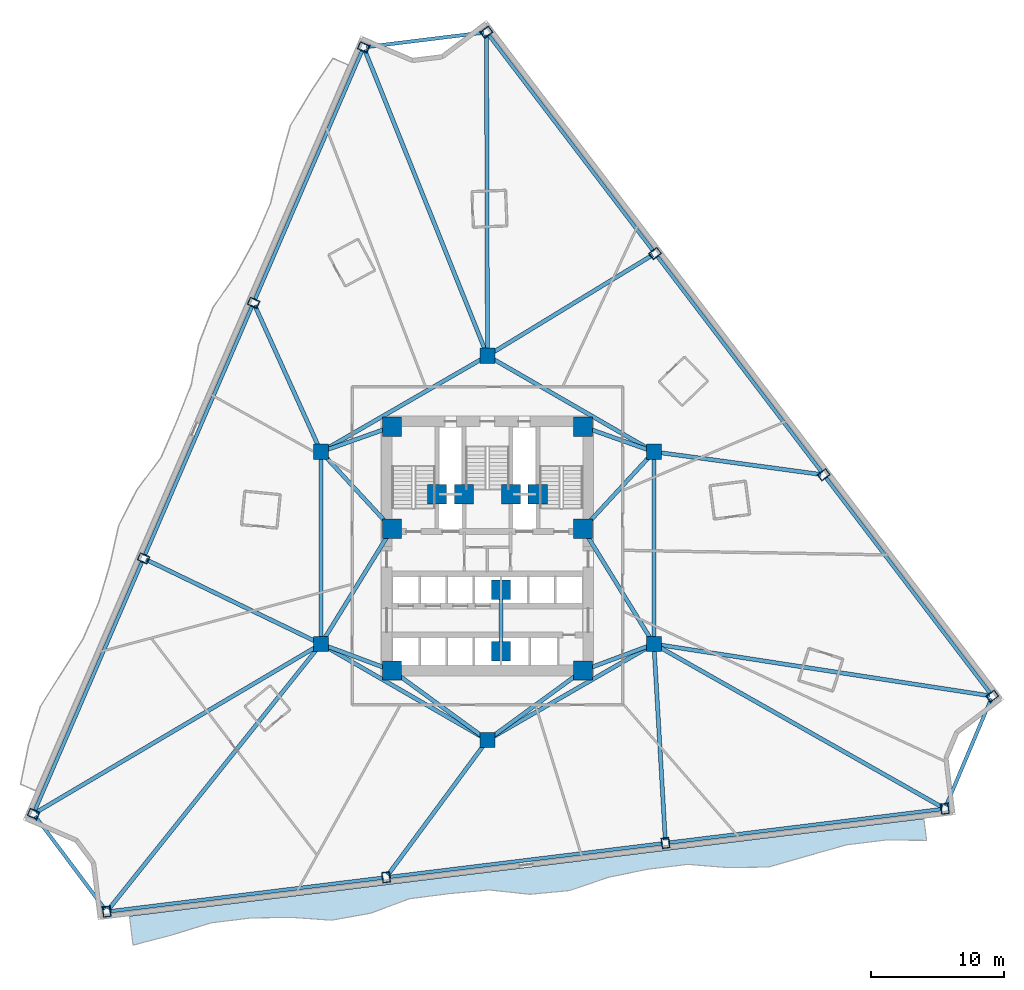
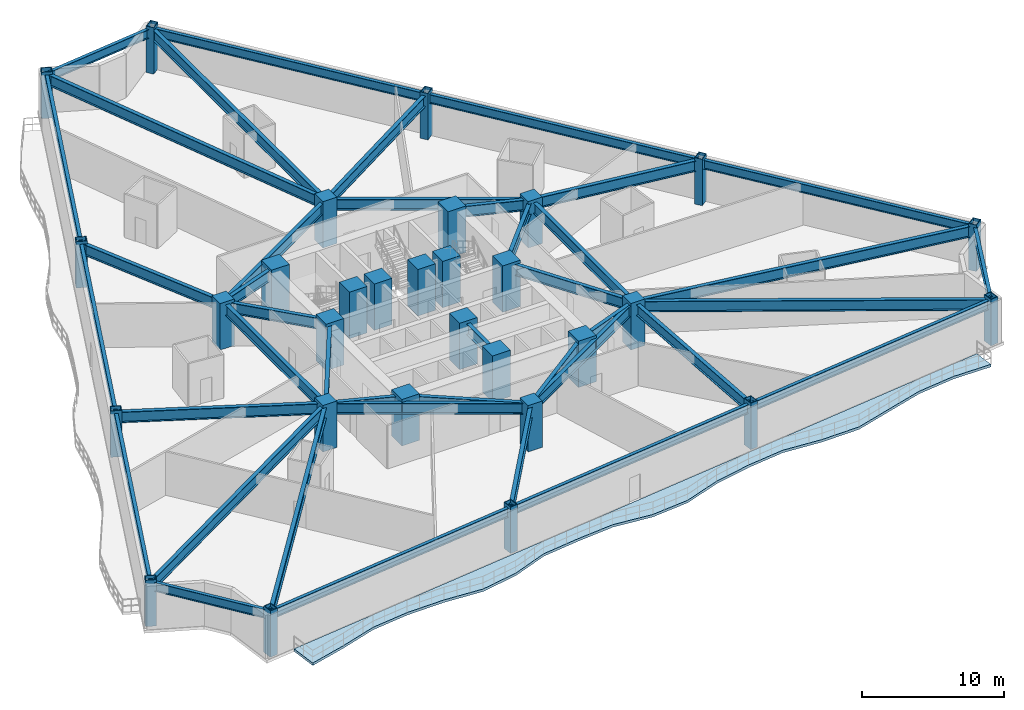
# One storey, part 1 of 12: 41 beams, 30 columns, 1 slab.
"""IFC4 building model written with IfcOpenShell, lengths in metres."""

from ifc_helpers import new_model, si_unit, direction, frame, origin, origin_2d, place, context, subcontext, project, spatial, polyline, rectangle, hollow_rectangle, i_section, outline, extrude, material, layer, layer_set, material_profile, profile_set, type_object, element, save


model = new_model("IFC4")

# Units and contexts
model_context = context("Model", 3, precision=1e-05, world=origin(), true_north=direction((0.0, 1.0)))
body_context = subcontext(model_context, "Body", "Model", "MODEL_VIEW")
ifc_project = project(units=[si_unit("LENGTHUNIT", "METRE"), si_unit("AREAUNIT", "SQUARE_METRE"), si_unit("VOLUMEUNIT", "CUBIC_METRE"), si_unit("PLANEANGLEUNIT", "RADIAN"), si_unit("MASSUNIT", "GRAM", prefix="KILO")], contexts=[model_context])

# Site, building, storey
site_placement = place(None, origin())
site = spatial("IfcSite", under=ifc_project, at=site_placement, CompositionType="ELEMENT")
building_placement = place(site_placement, origin())
building = spatial("IfcBuilding", under=site, at=building_placement, Name="Apsidion Concourse Tower", CompositionType="ELEMENT")
storey_placement = place(building_placement, frame((0.0, 0.0, 71.0)))
storey = spatial("IfcBuildingStorey", under=building, at=storey_placement, Name="L15", CompositionType="ELEMENT", Elevation=71.0)

# Columns
ifc_material_1 = material(Name="Structural steel ASTM A572 Grade 50", Category="steel")
ifc_material_profile_1 = material_profile(ifc_material_1, hollow_rectangle(XDim=0.60009765625, YDim=0.800048828125, WallThickness=0.050048828125, at=origin_2d()), Name="BOX800X600X50")
ifc_profile_set_1 = profile_set([ifc_material_profile_1], Name="Structural steel ASTM A572 Grade 50")
column_type_1 = type_object("IfcColumnType", Name="COL-BOX-800", PredefinedType="COLUMN", material=ifc_profile_set_1)
for number, where, z_axis, x_axis, name in (
    (1, (-9.34423828125, 37.77685546875, 0.0), (0.0, 0.0, 1.0), (0.395545502563, 0.918446381343, 0.0), "L15 Rotated Perimeter Column PC01"),
    (2, (-17.64794921875, 18.49462890625, 0.0), (0.0, 0.0, 1.0), (0.395545502563, 0.918446381343, 0.0), "L15 Rotated Perimeter Column PC02"),
    (3, (-25.95166015625, -0.787353515625, 0.0), (0.0, 0.0, 1.0), (0.395545502563, 0.918446381343, 0.0), "L15 Rotated Perimeter Column PC03"),
    (4, (-34.25537109375, -20.069580078125, 0.0), (0.0, 0.0, 1.0), (0.395545502563, 0.918446381343, 0.0), "L15 Rotated Perimeter Column PC04"),
    (5, (-28.72802734375, -27.4443359375, 0.0), (0.0, 0.0, 1.0), (0.992546151641, 0.121869343405, 0.0), "L15 Rotated Perimeter Column PC05"),
    (6, (-7.647216796875, -24.85595703125, 0.0), (0.0, 0.0, 1.0), (0.992546151641, 0.121869343405, 0.0), "L15 Rotated Perimeter Column PC06"),
    (7, (13.433349609375, -22.267578125, 0.0), (0.0, 0.0, 1.0), (0.992546151641, 0.121869343405, 0.0), "L15 Rotated Perimeter Column PC07"),
    (8, (34.51416015625, -19.67919921875, 0.0), (0.0, 0.0, 1.0), (0.992546151641, 0.121869343405, 0.0), "L15 Rotated Perimeter Column PC08"),
    (9, (38.093017578125, -11.186279296875, 0.0), (0.0, 0.0, 1.0), (-0.605988400266, 0.795473480855, 0.0), "L15 Rotated Perimeter Column PC09"),
    (10, (25.371337890625, 5.514404296875, 0.0), (0.0, 0.0, 1.0), (-0.605988400266, 0.795473480855, 0.0), "L15 Rotated Perimeter Column PC10"),
    (11, (12.6494140625, 22.214599609375, 0.0), (0.0, 0.0, 1.0), (-0.605988400266, 0.795473480855, 0.0), "L15 Rotated Perimeter Column PC11"),
    (12, (-0.072265625, 38.915283203125, 0.0), (0.0, 0.0, 1.0), (-0.605988400266, 0.795473480855, 0.0), "L15 Rotated Perimeter Column PC12"),
):
    element("IfcColumn", number, at=place(storey_placement, frame(where, z_axis=z_axis, x_axis=x_axis)), inside=storey, type_object=column_type_1, Name=name, PredefinedType="COLUMN", context=body_context, shape_type="SweptSolid", body=[
        extrude(hollow_rectangle(XDim=0.60009765625, YDim=0.800048828125, WallThickness=0.050048828125, at=origin_2d()), origin(), (0.0, 0.0, 1.0), 4.0),
    ])
ifc_material_2 = material(Name="Concrete C50/60", Category="concrete")
ifc_material_profile_2 = material_profile(ifc_material_2, rectangle(XDim=1.14990234375, YDim=1.14990234375, at=origin_2d()), Name="RC 1150x1150")
ifc_profile_set_2 = profile_set([ifc_material_profile_2], Name="Concrete C50/60")
column_type_2 = type_object("IfcColumnType", Name="COL-RC-1150", PredefinedType="COLUMN", material=ifc_profile_set_2)
for number, where, z_axis, x_axis, name in (
    (13, (-12.56005859375, -7.25, 0.0), (0.0, 0.0, 1.0), (1.0, 0.0, 0.0), "L15 Interior Spine Column IC1"),
    (14, (12.56005859375, -7.25, 0.0), (0.0, 0.0, 1.0), (1.0, 0.0, 0.0), "L15 Interior Spine Column IC2"),
    (15, (12.56005859375, 7.25, 0.0), (0.0, 0.0, 1.0), (1.0, 0.0, 0.0), "L15 Interior Spine Column IC3"),
    (16, (0.0, 14.5, 0.0), (0.0, 0.0, 1.0), (1.0, 0.0, 0.0), "L15 Interior Spine Column IC4"),
    (17, (-12.56005859375, 7.25, 0.0), (0.0, 0.0, 1.0), (1.0, 0.0, 0.0), "L15 Interior Spine Column IC5"),
    (18, (0.0, -14.5, 0.0), (0.0, 0.0, 1.0), (1.0, 0.0, 0.0), "L15 Interior Spine Column IC6"),
):
    element("IfcColumn", number, at=place(storey_placement, frame(where, z_axis=z_axis, x_axis=x_axis)), inside=storey, type_object=column_type_2, Name=name, PredefinedType="COLUMN", context=body_context, shape_type="SweptSolid", body=[
        extrude(rectangle(XDim=1.14990234375, YDim=1.14990234375, at=origin_2d()), origin(), (0.0, 0.0, 1.0), 4.0),
    ])
ifc_material_3 = material(Name="Concrete C60/75", Category="concrete")
ifc_material_profile_3 = material_profile(ifc_material_3, rectangle(XDim=1.449951171875, YDim=1.449951171875, at=origin_2d()), Name="RC 1450x1450")
ifc_profile_set_3 = profile_set([ifc_material_profile_3], Name="Concrete C60/75")
column_type_3 = type_object("IfcColumnType", Name="COL-RC-1450", PredefinedType="COLUMN", material=ifc_profile_set_3)
for number, where, z_axis, x_axis, name in (
    (19, (-7.199951171875, -9.25, 0.0), (0.0, 0.0, 1.0), (1.0, 0.0, 0.0), "L15 Core Super-Column SC1"),
    (20, (7.199951171875, -9.25, 0.0), (0.0, 0.0, 1.0), (1.0, 0.0, 0.0), "L15 Core Super-Column SC2"),
    (21, (7.199951171875, 1.449951171875, 0.0), (0.0, 0.0, 1.0), (1.0, 0.0, 0.0), "L15 Core Super-Column SC3"),
    (22, (7.199951171875, 9.14990234375, 0.0), (0.0, 0.0, 1.0), (1.0, 0.0, 0.0), "L15 Core Super-Column SC4"),
    (23, (-7.199951171875, 9.14990234375, 0.0), (0.0, 0.0, 1.0), (1.0, 0.0, 0.0), "L15 Core Super-Column SC5"),
    (24, (-7.199951171875, 1.449951171875, 0.0), (0.0, 0.0, 1.0), (1.0, 0.0, 0.0), "L15 Core Super-Column SC6"),
    (25, (-3.800048828125, 4.050048828125, 0.0), (0.0, 0.0, 1.0), (1.0, 0.0, 0.0), "L15 Core Super-Column CC1"),
    (26, (3.800048828125, 4.050048828125, 0.0), (0.0, 0.0, 1.0), (1.0, 0.0, 0.0), "L15 Core Super-Column CC2"),
    (27, (-1.77490234375, 4.050048828125, 0.0), (0.0, 0.0, 1.0), (1.0, 0.0, 0.0), "L15 Core Super-Column CC3"),
    (28, (1.77490234375, 4.050048828125, 0.0), (0.0, 0.0, 1.0), (1.0, 0.0, 0.0), "L15 Core Super-Column CC4"),
    (29, (1.02490234375, -3.14990234375, 0.0), (0.0, 0.0, 1.0), (1.0, 0.0, 0.0), "L15 Core Super-Column CC5"),
    (30, (1.02490234375, -7.800048828125, 0.0), (0.0, 0.0, 1.0), (1.0, 0.0, 0.0), "L15 Core Super-Column CC6"),
):
    element("IfcColumn", number, at=place(storey_placement, frame(where, z_axis=z_axis, x_axis=x_axis)), inside=storey, type_object=column_type_3, Name=name, PredefinedType="COLUMN", context=body_context, shape_type="SweptSolid", body=[
        extrude(rectangle(XDim=1.449951171875, YDim=1.449951171875, at=origin_2d()), origin(), (0.0, 0.0, 1.0), 4.0),
    ])

# Beams
ifc_material_4 = material(Name="Structural steel ASTM A992 Grade 50", Category="steel")
ifc_material_profile_4 = material_profile(ifc_material_4, i_section(OverallWidth=0.31005859375, OverallDepth=0.931884765625, WebThickness=0.02099609375, FlangeThickness=0.034423828125, at=origin_2d()), Name="W36X210")
ifc_profile_set_4 = profile_set([ifc_material_profile_4], Name="Structural steel ASTM A992 Grade 50")
beam_type_1 = type_object("IfcBeamType", Name="BM-G-W36", PredefinedType="USERDEFINED", material=ifc_profile_set_4)
beam_1_placement = place(storey_placement, frame((-12.185302734375, -7.389892578125, 3.283935546875), z_axis=(0.936913021145, -0.349562570664, 0.0), x_axis=(0.349562570664, 0.936913021145, 0.0)))
element("IfcBeam", 31, at=beam_1_placement, inside=storey, type_object=beam_type_1, Name="L15 Core Coupling Girder IC1-SC1", ObjectType="GIRDER", PredefinedType="USERDEFINED", context=body_context, shape_type="SweptSolid", body=[
    extrude(i_section(OverallWidth=0.31005859375, OverallDepth=0.931884765625, WebThickness=0.02099609375, FlangeThickness=0.034423828125, at=origin_2d()), origin(), (0.0, 0.0, 1.0), 4.921142578125),
])
beam_2_placement = place(storey_placement, frame((-12.35009765625, -6.909423828125, 3.283935546875), z_axis=(0.524524009763, 0.851395656074, 0.0), x_axis=(-0.851395656074, 0.524524009763, 0.0)))
element("IfcBeam", 32, at=beam_2_placement, inside=storey, type_object=beam_type_1, Name="L15 Core Coupling Girder IC1-SC6", ObjectType="GIRDER", PredefinedType="USERDEFINED", context=body_context, shape_type="SweptSolid", body=[
    extrude(i_section(OverallWidth=0.31005859375, OverallDepth=0.931884765625, WebThickness=0.02099609375, FlangeThickness=0.034423828125, at=origin_2d()), origin(), (0.0, 0.0, 1.0), 9.41845703125),
])
beam_3_placement = place(storey_placement, frame((12.185302734375, -7.389892578125, 3.283935546875), z_axis=(-0.936913021145, -0.349562570664, 0.0), x_axis=(0.349562570664, -0.936913021145, 0.0)))
element("IfcBeam", 33, at=beam_3_placement, inside=storey, type_object=beam_type_1, Name="L15 Core Coupling Girder IC2-SC2", ObjectType="GIRDER", PredefinedType="USERDEFINED", context=body_context, shape_type="SweptSolid", body=[
    extrude(i_section(OverallWidth=0.31005859375, OverallDepth=0.931884765625, WebThickness=0.02099609375, FlangeThickness=0.034423828125, at=origin_2d()), origin(), (0.0, 0.0, 1.0), 4.921142578125),
])
beam_4_placement = place(storey_placement, frame((12.35009765625, -6.909423828125, 3.283935546875), z_axis=(-0.524524009763, 0.851395656074, 0.0), x_axis=(-0.851395656074, -0.524524009763, 0.0)))
element("IfcBeam", 34, at=beam_4_placement, inside=storey, type_object=beam_type_1, Name="L15 Core Coupling Girder IC2-SC3", ObjectType="GIRDER", PredefinedType="USERDEFINED", context=body_context, shape_type="SweptSolid", body=[
    extrude(i_section(OverallWidth=0.31005859375, OverallDepth=0.931884765625, WebThickness=0.02099609375, FlangeThickness=0.034423828125, at=origin_2d()), origin(), (0.0, 0.0, 1.0), 9.41845703125),
])
beam_5_placement = place(storey_placement, frame((12.28857421875, 6.956298828125, 3.283935546875), z_axis=(-0.678712876106, -0.73440372535, 0.0), x_axis=(0.73440372535, -0.678712876106, 0.0)))
element("IfcBeam", 35, at=beam_5_placement, inside=storey, type_object=beam_type_1, Name="L15 Core Coupling Girder IC3-SC3", ObjectType="GIRDER", PredefinedType="USERDEFINED", context=body_context, shape_type="SweptSolid", body=[
    extrude(i_section(OverallWidth=0.31005859375, OverallDepth=0.931884765625, WebThickness=0.02099609375, FlangeThickness=0.034423828125, at=origin_2d()), origin(), (0.0, 0.0, 1.0), 7.097412109375),
])
beam_6_placement = place(storey_placement, frame((12.18310546875, 7.383544921875, 3.283935546875), z_axis=(-0.942533844539, 0.334110688094, 0.0), x_axis=(-0.334110688094, -0.942533844539, 0.0)))
element("IfcBeam", 36, at=beam_6_placement, inside=storey, type_object=beam_type_1, Name="L15 Core Coupling Girder IC3-SC4", ObjectType="GIRDER", PredefinedType="USERDEFINED", context=body_context, shape_type="SweptSolid", body=[
    extrude(i_section(OverallWidth=0.31005859375, OverallDepth=0.931884765625, WebThickness=0.02099609375, FlangeThickness=0.034423828125, at=origin_2d()), origin(), (0.0, 0.0, 1.0), 4.886962890625),
])
beam_7_placement = place(storey_placement, frame((-12.28857421875, 6.956298828125, 3.283935546875), z_axis=(0.678712876106, -0.73440372535, 0.0), x_axis=(0.73440372535, 0.678712876106, 0.0)))
element("IfcBeam", 37, at=beam_7_placement, inside=storey, type_object=beam_type_1, Name="L15 Core Coupling Girder IC5-SC6", ObjectType="GIRDER", PredefinedType="USERDEFINED", context=body_context, shape_type="SweptSolid", body=[
    extrude(i_section(OverallWidth=0.31005859375, OverallDepth=0.931884765625, WebThickness=0.02099609375, FlangeThickness=0.034423828125, at=origin_2d()), origin(), (0.0, 0.0, 1.0), 7.097412109375),
])
beam_8_placement = place(storey_placement, frame((-12.18310546875, 7.383544921875, 3.283935546875), z_axis=(0.942533844539, 0.334110688094, 0.0), x_axis=(-0.334110688094, 0.942533844539, 0.0)))
element("IfcBeam", 38, at=beam_8_placement, inside=storey, type_object=beam_type_1, Name="L15 Core Coupling Girder IC5-SC5", ObjectType="GIRDER", PredefinedType="USERDEFINED", context=body_context, shape_type="SweptSolid", body=[
    extrude(i_section(OverallWidth=0.31005859375, OverallDepth=0.931884765625, WebThickness=0.02099609375, FlangeThickness=0.034423828125, at=origin_2d()), origin(), (0.0, 0.0, 1.0), 4.886962890625),
])
for number, where, z_axis, x_axis, name in (
    (39, (-0.3232421875, -14.264404296875, 3.283935546875), (-0.807993498909, 0.589191399905, 0.0), (-0.589191399905, -0.807993498909, 0.0), "L15 Core Coupling Girder IC6-SC1"),
    (40, (0.3232421875, -14.264404296875, 3.283935546875), (0.807993498909, 0.589191399905, 0.0), (-0.589191399905, 0.807993498909, 0.0), "L15 Core Coupling Girder IC6-SC2"),
):
    element("IfcBeam", number, at=place(storey_placement, frame(where, z_axis=z_axis, x_axis=x_axis)), inside=storey, type_object=beam_type_1, Name=name, ObjectType="GIRDER", PredefinedType="USERDEFINED", context=body_context, shape_type="SweptSolid", body=[
        extrude(i_section(OverallWidth=0.31005859375, OverallDepth=0.931884765625, WebThickness=0.02099609375, FlangeThickness=0.034423828125, at=origin_2d()), origin(), (0.0, 0.0, 1.0), 8.11083984375),
    ])
beam_9_placement = place(storey_placement, frame((-12.56005859375, -6.85009765625, 3.283935546875), z_axis=(0.0, 1.0, 0.0), x_axis=(-1.0, 0.0, 0.0)))
element("IfcBeam", 41, at=beam_9_placement, inside=storey, type_object=beam_type_1, Name="L15 Core Coupling Girder IC1-IC5", ObjectType="GIRDER", PredefinedType="USERDEFINED", context=body_context, shape_type="SweptSolid", body=[
    extrude(i_section(OverallWidth=0.31005859375, OverallDepth=0.931884765625, WebThickness=0.02099609375, FlangeThickness=0.034423828125, at=origin_2d()), origin(), (0.0, 0.0, 1.0), 13.7001953125),
])
for number, where, z_axis, x_axis, name in (
    (42, (-12.213623046875, 7.449951171875, 3.283935546875), (0.866070471464, 0.499921932364, 0.0), (-0.499921932364, 0.866070471464, 0.0), "L15 Core Coupling Girder IC5-IC4"),
    (43, (0.346435546875, 14.300048828125, 3.283935546875), (0.866070471464, -0.499921932364, 0.0), (0.499921932364, 0.866070471464, 0.0), "L15 Core Coupling Girder IC4-IC3"),
):
    element("IfcBeam", number, at=place(storey_placement, frame(where, z_axis=z_axis, x_axis=x_axis)), inside=storey, type_object=beam_type_1, Name=name, ObjectType="GIRDER", PredefinedType="USERDEFINED", context=body_context, shape_type="SweptSolid", body=[
        extrude(i_section(OverallWidth=0.31005859375, OverallDepth=0.931884765625, WebThickness=0.02099609375, FlangeThickness=0.034423828125, at=origin_2d()), origin(), (0.0, 0.0, 1.0), 13.702392578125),
    ])
beam_10_placement = place(storey_placement, frame((12.56005859375, 6.85009765625, 3.283935546875), z_axis=(0.0, -1.0, 0.0), x_axis=(1.0, 0.0, 0.0)))
element("IfcBeam", 44, at=beam_10_placement, inside=storey, type_object=beam_type_1, Name="L15 Core Coupling Girder IC3-IC2", ObjectType="GIRDER", PredefinedType="USERDEFINED", context=body_context, shape_type="SweptSolid", body=[
    extrude(i_section(OverallWidth=0.31005859375, OverallDepth=0.931884765625, WebThickness=0.02099609375, FlangeThickness=0.034423828125, at=origin_2d()), origin(), (0.0, 0.0, 1.0), 13.7001953125),
])
for number, where, z_axis, x_axis, name in (
    (45, (12.213623046875, -7.449951171875, 3.283935546875), (-0.866070471464, -0.499921932364, 0.0), (0.499921932364, -0.866070471464, 0.0), "L15 Core Coupling Girder IC2-IC6"),
    (46, (-0.346435546875, -14.300048828125, 3.283935546875), (-0.866070471464, 0.499921932364, 0.0), (-0.499921932364, -0.866070471464, 0.0), "L15 Core Coupling Girder IC6-IC1"),
):
    element("IfcBeam", number, at=place(storey_placement, frame(where, z_axis=z_axis, x_axis=x_axis)), inside=storey, type_object=beam_type_1, Name=name, ObjectType="GIRDER", PredefinedType="USERDEFINED", context=body_context, shape_type="SweptSolid", body=[
        extrude(i_section(OverallWidth=0.31005859375, OverallDepth=0.931884765625, WebThickness=0.02099609375, FlangeThickness=0.034423828125, at=origin_2d()), origin(), (0.0, 0.0, 1.0), 13.702392578125),
    ])
beam_11_placement = place(storey_placement, frame((1.02490234375, -3.550048828125, 3.283935546875), z_axis=(0.0, -1.0, 0.0), x_axis=(1.0, 0.0, 0.0)))
element("IfcBeam", 47, at=beam_11_placement, inside=storey, type_object=beam_type_1, Name="L15 Core Coupling Girder CC5-CC6", ObjectType="GIRDER", PredefinedType="USERDEFINED", context=body_context, shape_type="SweptSolid", body=[
    extrude(i_section(OverallWidth=0.31005859375, OverallDepth=0.931884765625, WebThickness=0.02099609375, FlangeThickness=0.034423828125, at=origin_2d()), origin(), (0.0, 0.0, 1.0), 3.849853515625),
])
beam_12_placement = place(storey_placement, frame((-0.08203125, 14.7041015625, 3.283935546875), z_axis=(-0.372538285094, 0.928016824276, 0.0), x_axis=(-0.928016824276, -0.372538285094, 0.0)))
element("IfcBeam", 48, at=beam_12_placement, inside=storey, type_object=beam_type_1, Name="L15 Radial Floor Girder RAD-01", ObjectType="GIRDER", PredefinedType="USERDEFINED", context=body_context, shape_type="SweptSolid", body=[
    extrude(i_section(OverallWidth=0.31005859375, OverallDepth=0.931884765625, WebThickness=0.02099609375, FlangeThickness=0.034423828125, at=origin_2d()), origin(), (0.0, 0.0, 1.0), 24.642333984375),
])
beam_13_placement = place(storey_placement, frame((-12.650634765625, 7.450439453125, 3.283935546875), z_axis=(-0.412253816474, 0.911069037342, 0.0), x_axis=(-0.911069037342, -0.412253816474, 0.0)))
element("IfcBeam", 49, at=beam_13_placement, inside=storey, type_object=beam_type_1, Name="L15 Radial Floor Girder RAD-02", ObjectType="GIRDER", PredefinedType="USERDEFINED", context=body_context, shape_type="SweptSolid", body=[
    extrude(i_section(OverallWidth=0.31005859375, OverallDepth=0.931884765625, WebThickness=0.02099609375, FlangeThickness=0.034423828125, at=origin_2d()), origin(), (0.0, 0.0, 1.0), 11.90234375),
])
beam_14_placement = place(storey_placement, frame((-12.758056640625, -7.154296875, 3.283935546875), z_axis=(-0.900619466143, 0.434608533286, 0.0), x_axis=(-0.434608533286, -0.900619466143, 0.0)))
element("IfcBeam", 50, at=beam_14_placement, inside=storey, type_object=beam_type_1, Name="L15 Radial Floor Girder RAD-03", ObjectType="GIRDER", PredefinedType="USERDEFINED", context=body_context, shape_type="SweptSolid", body=[
    extrude(i_section(OverallWidth=0.31005859375, OverallDepth=0.931884765625, WebThickness=0.02099609375, FlangeThickness=0.034423828125, at=origin_2d()), origin(), (0.0, 0.0, 1.0), 14.4296875),
])
beam_15_placement = place(storey_placement, frame((-12.74951171875, -7.36181640625, 3.283935546875), z_axis=(-0.860932809824, -0.508718681561, 0.0), x_axis=(0.508718681561, -0.860932809824, 0.0)))
element("IfcBeam", 51, at=beam_15_placement, inside=storey, type_object=beam_type_1, Name="L15 Radial Floor Girder RAD-04", ObjectType="GIRDER", PredefinedType="USERDEFINED", context=body_context, shape_type="SweptSolid", body=[
    extrude(i_section(OverallWidth=0.31005859375, OverallDepth=0.931884765625, WebThickness=0.02099609375, FlangeThickness=0.034423828125, at=origin_2d()), origin(), (0.0, 0.0, 1.0), 24.759765625),
])
beam_16_placement = place(storey_placement, frame((-12.697509765625, -7.421630859375, 3.283935546875), z_axis=(-0.624987708563, -0.780634590667, 0.0), x_axis=(0.780634590667, -0.624987708563, 0.0)))
element("IfcBeam", 52, at=beam_16_placement, inside=storey, type_object=beam_type_1, Name="L15 Radial Floor Girder RAD-05", ObjectType="GIRDER", PredefinedType="USERDEFINED", context=body_context, shape_type="SweptSolid", body=[
    extrude(i_section(OverallWidth=0.31005859375, OverallDepth=0.931884765625, WebThickness=0.02099609375, FlangeThickness=0.034423828125, at=origin_2d()), origin(), (0.0, 0.0, 1.0), 25.429443359375),
])
beam_17_placement = place(storey_placement, frame((-0.130615234375, -14.677001953125, 3.283935546875), z_axis=(-0.594039313688, -0.804436009757, 0.0), x_axis=(0.804436009757, -0.594039313688, 0.0)))
element("IfcBeam", 53, at=beam_17_placement, inside=storey, type_object=beam_type_1, Name="L15 Radial Floor Girder RAD-06", ObjectType="GIRDER", PredefinedType="USERDEFINED", context=body_context, shape_type="SweptSolid", body=[
    extrude(i_section(OverallWidth=0.31005859375, OverallDepth=0.931884765625, WebThickness=0.02099609375, FlangeThickness=0.034423828125, at=origin_2d()), origin(), (0.0, 0.0, 1.0), 12.43359375),
])
beam_18_placement = place(storey_placement, frame((12.57275390625, -7.469482421875, 3.283935546875), z_axis=(0.058062445762, -0.998312953133, 0.0), x_axis=(0.998312953133, 0.058062445762, 0.0)))
element("IfcBeam", 54, at=beam_18_placement, inside=storey, type_object=beam_type_1, Name="L15 Radial Floor Girder RAD-07", ObjectType="GIRDER", PredefinedType="USERDEFINED", context=body_context, shape_type="SweptSolid", body=[
    extrude(i_section(OverallWidth=0.31005859375, OverallDepth=0.931884765625, WebThickness=0.02099609375, FlangeThickness=0.034423828125, at=origin_2d()), origin(), (0.0, 0.0, 1.0), 14.603271484375),
])
beam_19_placement = place(storey_placement, frame((12.75146484375, -7.3583984375, 3.283935546875), z_axis=(0.870218136179, -0.492666616958, 0.0), x_axis=(0.492666616958, 0.870218136179, 0.0)))
element("IfcBeam", 55, at=beam_19_placement, inside=storey, type_object=beam_type_1, Name="L15 Radial Floor Girder RAD-08", ObjectType="GIRDER", PredefinedType="USERDEFINED", context=body_context, shape_type="SweptSolid", body=[
    extrude(i_section(OverallWidth=0.31005859375, OverallDepth=0.931884765625, WebThickness=0.02099609375, FlangeThickness=0.034423828125, at=origin_2d()), origin(), (0.0, 0.0, 1.0), 24.788330078125),
])
beam_20_placement = place(storey_placement, frame((12.77734375, -7.283447265625, 3.283935546875), z_axis=(0.98832519419, -0.152359149806, 0.0), x_axis=(0.152359149806, 0.98832519419, 0.0)))
element("IfcBeam", 56, at=beam_20_placement, inside=storey, type_object=beam_type_1, Name="L15 Radial Floor Girder RAD-09", ObjectType="GIRDER", PredefinedType="USERDEFINED", context=body_context, shape_type="SweptSolid", body=[
    extrude(i_section(OverallWidth=0.31005859375, OverallDepth=0.931884765625, WebThickness=0.02099609375, FlangeThickness=0.034423828125, at=origin_2d()), origin(), (0.0, 0.0, 1.0), 25.394775390625),
])
beam_21_placement = place(storey_placement, frame((12.778076171875, 7.220458984375, 3.283935546875), z_axis=(0.990945318587, -0.134266062618, 0.0), x_axis=(0.134266062618, 0.990945318587, 0.0)))
element("IfcBeam", 57, at=beam_21_placement, inside=storey, type_object=beam_type_1, Name="L15 Radial Floor Girder RAD-10", ObjectType="GIRDER", PredefinedType="USERDEFINED", context=body_context, shape_type="SweptSolid", body=[
    extrude(i_section(OverallWidth=0.31005859375, OverallDepth=0.931884765625, WebThickness=0.02099609375, FlangeThickness=0.034423828125, at=origin_2d()), origin(), (0.0, 0.0, 1.0), 12.48828125),
])
beam_22_placement = place(storey_placement, frame((0.187744140625, 14.614501953125, 3.283935546875), z_axis=(0.853749961822, 0.520683207611, 0.0), x_axis=(-0.520683207611, 0.853749961822, 0.0)))
element("IfcBeam", 58, at=beam_22_placement, inside=storey, type_object=beam_type_1, Name="L15 Radial Floor Girder RAD-11", ObjectType="GIRDER", PredefinedType="USERDEFINED", context=body_context, shape_type="SweptSolid", body=[
    extrude(i_section(OverallWidth=0.31005859375, OverallDepth=0.931884765625, WebThickness=0.02099609375, FlangeThickness=0.034423828125, at=origin_2d()), origin(), (0.0, 0.0, 1.0), 14.37646484375),
])
beam_23_placement = place(storey_placement, frame((-0.000732421875, 14.719970703125, 3.283935546875), z_axis=(-0.002953053731, 0.999995639727, 0.0), x_axis=(-0.999995639727, -0.002953053731, 0.0)))
element("IfcBeam", 59, at=beam_23_placement, inside=storey, type_object=beam_type_1, Name="L15 Radial Floor Girder RAD-12", ObjectType="GIRDER", PredefinedType="USERDEFINED", context=body_context, shape_type="SweptSolid", body=[
    extrude(i_section(OverallWidth=0.31005859375, OverallDepth=0.931884765625, WebThickness=0.02099609375, FlangeThickness=0.034423828125, at=origin_2d()), origin(), (0.0, 0.0, 1.0), 23.975341796875),
])
ifc_material_profile_5 = material_profile(ifc_material_4, i_section(OverallWidth=0.26806640625, OverallDepth=0.77001953125, WebThickness=0.015625, FlangeThickness=0.025390625, at=origin_2d()), Name="W30X132")
ifc_profile_set_5 = profile_set([ifc_material_profile_5], Name="Structural steel ASTM A992 Grade 50")
beam_type_2 = type_object("IfcBeamType", Name="BM-SP-W30", PredefinedType="SPANDREL", material=ifc_profile_set_5)
beam_24_placement = place(storey_placement, frame((-9.431396484375, 37.57470703125, 3.364990234375), z_axis=(-0.395525708749, -0.918454905653, 0.0), x_axis=(0.918454905653, -0.395525708749, 0.0)))
element("IfcBeam", 60, at=beam_24_placement, inside=storey, type_object=beam_type_2, Name="L15 Perimeter Spandrel Girder SP-01", PredefinedType="SPANDREL", context=body_context, shape_type="SweptSolid", body=[
    extrude(i_section(OverallWidth=0.26806640625, OverallDepth=0.77001953125, WebThickness=0.015625, FlangeThickness=0.025390625, at=origin_2d()), origin(), (0.0, 0.0, 1.0), 20.553955078125),
])
beam_25_placement = place(storey_placement, frame((-17.735107421875, 18.29248046875, 3.364990234375), z_axis=(-0.395530023745, -0.918453047421, 0.0), x_axis=(0.918453047421, -0.395530023745, 0.0)))
element("IfcBeam", 61, at=beam_25_placement, inside=storey, type_object=beam_type_2, Name="L15 Perimeter Spandrel Girder SP-02", PredefinedType="SPANDREL", context=body_context, shape_type="SweptSolid", body=[
    extrude(i_section(OverallWidth=0.26806640625, OverallDepth=0.77001953125, WebThickness=0.015625, FlangeThickness=0.025390625, at=origin_2d()), origin(), (0.0, 0.0, 1.0), 20.5537109375),
])
beam_26_placement = place(storey_placement, frame((-26.038818359375, -0.989501953125, 3.364990234375), z_axis=(-0.395525708749, -0.918454905653, 0.0), x_axis=(0.918454905653, -0.395525708749, 0.0)))
element("IfcBeam", 62, at=beam_26_placement, inside=storey, type_object=beam_type_2, Name="L15 Perimeter Spandrel Girder SP-03", PredefinedType="SPANDREL", context=body_context, shape_type="SweptSolid", body=[
    extrude(i_section(OverallWidth=0.26806640625, OverallDepth=0.77001953125, WebThickness=0.015625, FlangeThickness=0.025390625, at=origin_2d()), origin(), (0.0, 0.0, 1.0), 20.553955078125),
])
beam_27_placement = place(storey_placement, frame((-34.12353515625, -20.24560546875, 3.364990234375), z_axis=(0.59973736177, -0.800196911327, 0.0), x_axis=(0.800196911327, 0.59973736177, 0.0)))
element("IfcBeam", 63, at=beam_27_placement, inside=storey, type_object=beam_type_2, Name="L15 Perimeter Spandrel Girder SP-04", PredefinedType="SPANDREL", context=body_context, shape_type="SweptSolid", body=[
    extrude(i_section(OverallWidth=0.26806640625, OverallDepth=0.77001953125, WebThickness=0.015625, FlangeThickness=0.025390625, at=origin_2d()), origin(), (0.0, 0.0, 1.0), 8.776123046875),
])
for number, where, z_axis, x_axis, name in (
    (64, (-28.509765625, -27.41748046875, 3.364990234375), (0.992546743565, 0.121864522478, 0.0), (-0.121864522478, 0.992546743565, 0.0), "L15 Perimeter Spandrel Girder SP-05"),
    (65, (-7.428955078125, -24.8291015625, 3.364990234375), (0.992546743565, 0.121864522478, 0.0), (-0.121864522478, 0.992546743565, 0.0), "L15 Perimeter Spandrel Girder SP-06"),
    (66, (13.65185546875, -22.24072265625, 3.364990234375), (0.992546743565, 0.121864522478, 0.0), (-0.121864522478, 0.992546743565, 0.0), "L15 Perimeter Spandrel Girder SP-07"),
):
    element("IfcBeam", number, at=place(storey_placement, frame(where, z_axis=z_axis, x_axis=x_axis)), inside=storey, type_object=beam_type_2, Name=name, PredefinedType="SPANDREL", context=body_context, shape_type="SweptSolid", body=[
        extrude(i_section(OverallWidth=0.26806640625, OverallDepth=0.77001953125, WebThickness=0.015625, FlangeThickness=0.025390625, at=origin_2d()), origin(), (0.0, 0.0, 1.0), 20.799072265625),
    ])
beam_28_placement = place(storey_placement, frame((34.599609375, -19.4765625, 3.364990234375), z_axis=(0.388335552383, 0.921518040385, 0.0), x_axis=(-0.921518040385, 0.388335552383, 0.0)))
element("IfcBeam", 67, at=beam_28_placement, inside=storey, type_object=beam_type_2, Name="L15 Perimeter Spandrel Girder SP-08", PredefinedType="SPANDREL", context=body_context, shape_type="SweptSolid", body=[
    extrude(i_section(OverallWidth=0.26806640625, OverallDepth=0.77001953125, WebThickness=0.015625, FlangeThickness=0.025390625, at=origin_2d()), origin(), (0.0, 0.0, 1.0), 8.7763671875),
])
for number, where, z_axis, x_axis, name in (
    (68, (37.959716796875, -11.01123046875, 3.364990234375), (-0.605965911945, 0.795490611862, 0.0), (-0.795490611862, -0.605965911945, 0.0), "L15 Perimeter Spandrel Girder SP-09"),
    (69, (25.238037109375, 5.689208984375, 3.364990234375), (-0.605973428299, 0.795484886215, 0.0), (-0.795484886215, -0.605973428299, 0.0), "L15 Perimeter Spandrel Girder SP-10"),
    (70, (12.51611328125, 22.3896484375, 3.364990234375), (-0.605965911945, 0.795490611862, 0.0), (-0.795490611862, -0.605965911945, 0.0), "L15 Perimeter Spandrel Girder SP-11"),
):
    element("IfcBeam", number, at=place(storey_placement, frame(where, z_axis=z_axis, x_axis=x_axis)), inside=storey, type_object=beam_type_2, Name=name, PredefinedType="SPANDREL", context=body_context, shape_type="SweptSolid", body=[
        extrude(i_section(OverallWidth=0.26806640625, OverallDepth=0.77001953125, WebThickness=0.015625, FlangeThickness=0.025390625, at=origin_2d()), origin(), (0.0, 0.0, 1.0), 20.55419921875),
    ])
beam_29_placement = place(storey_placement, frame((-0.290771484375, 38.888427734375, 3.364990234375), z_axis=(-0.992547646047, -0.121857171831, 0.0), x_axis=(0.121857171831, -0.992547646047, 0.0)))
element("IfcBeam", 71, at=beam_29_placement, inside=storey, type_object=beam_type_2, Name="L15 Perimeter Spandrel Girder SP-12", PredefinedType="SPANDREL", context=body_context, shape_type="SweptSolid", body=[
    extrude(i_section(OverallWidth=0.26806640625, OverallDepth=0.77001953125, WebThickness=0.015625, FlangeThickness=0.025390625, at=origin_2d()), origin(), (0.0, 0.0, 1.0), 8.901611328125),
])

# Slab
ifc_layer = layer(ifc_material_2, 0.219970703125)
ifc_layer_set = layer_set([ifc_layer], Name="Concrete C50/60")
slab_type = type_object("IfcSlabType", Name="SL-BAL-220", PredefinedType="FLOOR", material=ifc_layer_set)
slab_placement = place(storey_placement, frame((0.0, 0.0, -0.219970703125)))
element("IfcSlab", 72, at=slab_placement, inside=storey, type_object=slab_type, Name="L15 Face 2 Rippling Balcony Slab", PredefinedType="FLOOR", context=body_context, shape_type="SweptSolid", body=[
    extrude(outline(polyline([(-27.01171875, -27.78759765625), (-24.014404296875, -27.419677734375), (-21.017333984375, -27.0517578125), (-18.02001953125, -26.68359375), (-15.02294921875, -26.315673828125), (-12.02587890625, -25.94775390625), (-9.028564453125, -25.57958984375), (-6.031494140625, -25.211669921875), (-3.0341796875, -24.84375), (-0.037109375, -24.4755859375), (2.9599609375, -24.107666015625), (5.957275390625, -23.73974609375), (8.954345703125, -23.37158203125), (11.951416015625, -23.003662109375), (14.94873046875, -22.6357421875), (17.94580078125, -22.267578125), (20.943115234375, -21.899658203125), (23.940185546875, -21.53173828125), (26.9375, -21.163818359375), (29.9345703125, -20.795654296875), (32.931640625, -20.427734375), (33.1328125, -22.0654296875), (30.0869140625, -22.036376953125), (27.089599609375, -22.404296875), (24.149658203125, -23.23681640625), (21.21044921875, -24.078369140625), (18.17333984375, -24.120361328125), (15.10107421875, -23.87646484375), (12.10400390625, -24.244384765625), (9.135986328125, -24.850341796875), (6.216552734375, -25.85107421875), (3.208984375, -26.13623046875), (0.126708984375, -25.809326171875), (-2.8818359375, -26.08447265625), (-5.876708984375, -26.471435546875), (-8.786376953125, -27.552734375), (-11.7626953125, -28.09130859375), (-14.83154296875, -27.8740234375), (-17.867919921875, -27.92431640625), (-20.864990234375, -28.29248046875), (-23.7958984375, -29.200439453125), (-26.743408203125, -29.97119140625), (-27.01171875, -27.78759765625)])), origin(), (0.0, 0.0, 1.0), 0.219970703125),
])

save(model, "model.ifc")
